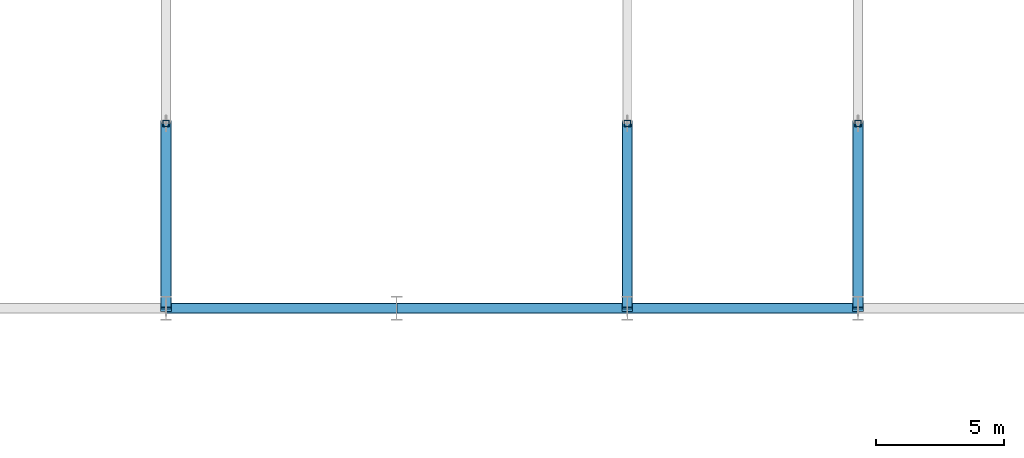
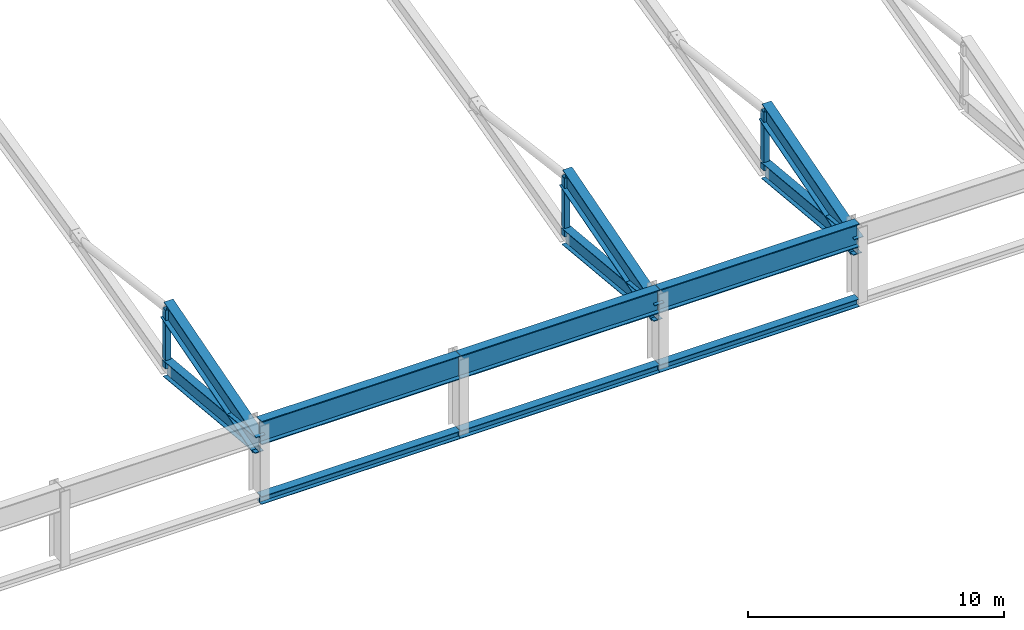
# One storey, part 15 of 151: 9 members, 6 beams.
"""IFC4 building model written with IfcOpenShell, lengths in metres."""

from ifc_helpers import new_model, si_unit, direction, frame, origin, origin_2d, place, context, subcontext, project, spatial, hollow_rectangle, i_section, extrude, material, material_profile, profile_set, type_object, element, save


model = new_model("IFC4")

# Units and contexts
model_context = context("Model", 3, precision=1e-05, world=origin(), true_north=direction((0.0, 1.0)))
body_context = subcontext(model_context, "Body", "Model", "MODEL_VIEW")
ifc_project = project(units=[si_unit("LENGTHUNIT", "METRE"), si_unit("AREAUNIT", "SQUARE_METRE"), si_unit("VOLUMEUNIT", "CUBIC_METRE"), si_unit("PLANEANGLEUNIT", "RADIAN"), si_unit("MASSUNIT", "GRAM", prefix="KILO")], contexts=[model_context])

# Site, building, storey
site_placement = place(None, origin())
site = spatial("IfcSite", under=ifc_project, at=site_placement, CompositionType="ELEMENT")
building_placement = place(site_placement, origin())
building = spatial("IfcBuilding", under=site, at=building_placement, Name="Celestram Park Convention Centre", CompositionType="ELEMENT")
storey_placement = place(building_placement, frame((0.0, 0.0, 10.800048828125)))
storey = spatial("IfcBuildingStorey", under=building, at=storey_placement, Name="L02", CompositionType="ELEMENT", Elevation=10.800048828125)

# Beams
ifc_material_1 = material(Name="Steel ASTM A992 Grade 50", Category="steel")
ifc_material_profile_1 = material_profile(ifc_material_1, i_section(OverallWidth=0.404052734375, OverallDepth=1.117919921875, WebThickness=0.026123046875, FlangeThickness=0.044921875, at=origin_2d()), Name="W44X335")
ifc_profile_set_1 = profile_set([ifc_material_profile_1], Name="Steel ASTM A992 Grade 50")
beam_type_1 = type_object("IfcBeamType", Name="STR-BM-W44X335", PredefinedType="BEAM", material=ifc_profile_set_1)
for number, where, z_axis, x_axis, name in (
    (1, (36.007568359375, 21.60009765625, 3.041015625), (1.0, 0.0, 0.0), (0.0, 1.0, 0.0), "Exhibition eaves tie girder BG-L02-0376"),
    (2, (45.007568359375, 21.60009765625, 3.041015625), (1.0, 0.0, 0.0), (0.0, 1.0, 0.0), "Exhibition eaves tie girder BG-L02-0377"),
    (3, (54.007568359375, 21.60009765625, 3.041015625), (1.0, 0.0, 0.0), (0.0, 1.0, 0.0), "Exhibition eaves tie girder BG-L02-0378"),
):
    element("IfcBeam", number, at=place(storey_placement, frame(where, z_axis=z_axis, x_axis=x_axis)), inside=storey, type_object=beam_type_1, Name=name, PredefinedType="BEAM", context=body_context, shape_type="SweptSolid", body=[
        extrude(i_section(OverallWidth=0.404052734375, OverallDepth=1.117919921875, WebThickness=0.026123046875, FlangeThickness=0.044921875, at=origin_2d()), origin(), (0.0, 0.0, 1.0), 8.98486328125),
    ])

# Members
ifc_material_profile_2 = material_profile(ifc_material_1, i_section(OverallWidth=0.381103515625, OverallDepth=0.77197265625, WebThickness=0.0166015625, FlangeThickness=0.027099609375, at=origin_2d()), Name="W30X173")
ifc_profile_set_2 = profile_set([ifc_material_profile_2], Name="Steel ASTM A992 Grade 50")
member_type_1 = type_object("IfcMemberType", Name="STR-CHD-W30X173", PredefinedType="CHORD", material=ifc_profile_set_2)
for number, where, z_axis, x_axis, name in (
    (4, (36.0, 21.60009765625, 2.428466796875), (0.0, 0.995417621099, -0.095623007717), (-1.0, 0.0, 0.0), "V1 arch bottom chord"),
    (5, (54.0, 21.60009765625, 2.428466796875), (0.0, 0.995417621099, -0.095623007717), (-1.0, 0.0, 0.0), "V1 arch bottom chord"),
    (6, (63.0, 21.60009765625, 2.428466796875), (0.0, 0.995417621099, -0.095623007717), (-1.0, 0.0, 0.0), "V1 arch bottom chord"),
):
    element("IfcMember", number, at=place(storey_placement, frame(where, z_axis=z_axis, x_axis=x_axis)), inside=storey, type_object=member_type_1, Name=name, PredefinedType="CHORD", context=body_context, shape_type="SweptSolid", body=[
        extrude(i_section(OverallWidth=0.381103515625, OverallDepth=0.77197265625, WebThickness=0.0166015625, FlangeThickness=0.027099609375, at=origin_2d()), origin(), (0.0, 0.0, 1.0), 7.233154296875),
    ])
ifc_material_profile_3 = material_profile(ifc_material_1, i_section(OverallWidth=0.4189453125, OverallDepth=0.927001953125, WebThickness=0.019287109375, FlangeThickness=0.031982421875, at=origin_2d()), Name="W36X231")
ifc_profile_set_3 = profile_set([ifc_material_profile_3], Name="Steel ASTM A992 Grade 50")
member_type_2 = type_object("IfcMemberType", Name="STR-CHD-W36X231", PredefinedType="CHORD", material=ifc_profile_set_3)
for number, where, z_axis, x_axis, name in (
    (7, (36.0, 21.60009765625, 2.428466796875), (0.0, 0.959698026141, 0.281033269599), (-1.0, 0.0, 0.0), "V1 arch top chord"),
    (8, (54.0, 21.60009765625, 2.428466796875), (0.0, 0.959698026141, 0.281033269599), (-1.0, 0.0, 0.0), "V1 arch top chord"),
    (9, (63.0, 21.60009765625, 2.428466796875), (0.0, 0.959698026141, 0.281033269599), (-1.0, 0.0, 0.0), "V1 arch top chord"),
):
    element("IfcMember", number, at=place(storey_placement, frame(where, z_axis=z_axis, x_axis=x_axis)), inside=storey, type_object=member_type_2, Name=name, PredefinedType="CHORD", context=body_context, shape_type="SweptSolid", body=[
        extrude(i_section(OverallWidth=0.4189453125, OverallDepth=0.927001953125, WebThickness=0.019287109375, FlangeThickness=0.031982421875, at=origin_2d()), origin(), (0.0, 0.0, 1.0), 7.502197265625),
    ])

# Beams
ifc_material_profile_4 = material_profile(ifc_material_1, i_section(OverallWidth=0.373046875, OverallDepth=0.373046875, WebThickness=0.016357421875, FlangeThickness=0.026123046875, at=origin_2d()), Name="W14X132")
ifc_profile_set_4 = profile_set([ifc_material_profile_4], Name="Steel ASTM A992 Grade 50")
beam_type_2 = type_object("IfcBeamType", Name="STR-SPN-W14X132", PredefinedType="SPANDREL", material=ifc_profile_set_4)
for number, where, z_axis, x_axis, name in (
    (10, (36.010009765625, 21.60009765625, -0.1865234375), (1.0, 0.0, 0.0), (0.0, 1.0, 0.0), "High-bay perimeter spandrel SPB-L02-034"),
    (11, (45.010009765625, 21.60009765625, -0.1865234375), (1.0, 0.0, 0.0), (0.0, 1.0, 0.0), "High-bay perimeter spandrel SPB-L02-035"),
    (12, (54.010009765625, 21.60009765625, -0.1865234375), (1.0, 0.0, 0.0), (0.0, 1.0, 0.0), "High-bay perimeter spandrel SPB-L02-036"),
):
    element("IfcBeam", number, at=place(storey_placement, frame(where, z_axis=z_axis, x_axis=x_axis)), inside=storey, type_object=beam_type_2, Name=name, PredefinedType="SPANDREL", context=body_context, shape_type="SweptSolid", body=[
        extrude(i_section(OverallWidth=0.373046875, OverallDepth=0.373046875, WebThickness=0.016357421875, FlangeThickness=0.026123046875, at=origin_2d()), origin(), (0.0, 0.0, 1.0), 8.97998046875),
    ])

# Members
ifc_material_2 = material(Name="Steel ASTM A500 Grade C", Category="steel")
ifc_material_profile_5 = material_profile(ifc_material_2, hollow_rectangle(XDim=0.25, YDim=0.25, WallThickness=0.011962890625, at=origin_2d()), Name="HSS250X250X12")
ifc_profile_set_5 = profile_set([ifc_material_profile_5], Name="Steel ASTM A500 Grade C")
member_type_3 = type_object("IfcMemberType", Name="STR-STR-HSS250", PredefinedType="STRUT", material=ifc_profile_set_5)
for number, where, z_axis, x_axis, name in (
    (13, (36.0, 28.800048828125, 1.73681640625), (0.0, 0.0, 1.0), (1.0, 0.0, 0.0), "V1 arch vertical strut"),
    (14, (54.0, 28.800048828125, 1.73681640625), (0.0, 0.0, 1.0), (1.0, 0.0, 0.0), "V1 arch vertical strut"),
    (15, (63.0, 28.800048828125, 1.73681640625), (0.0, 0.0, 1.0), (1.0, 0.0, 0.0), "V1 arch vertical strut"),
):
    element("IfcMember", number, at=place(storey_placement, frame(where, z_axis=z_axis, x_axis=x_axis)), inside=storey, type_object=member_type_3, Name=name, PredefinedType="STRUT", context=body_context, shape_type="SweptSolid", body=[
        extrude(hollow_rectangle(XDim=0.25, YDim=0.25, WallThickness=0.011962890625, at=origin_2d()), origin(), (0.0, 0.0, 1.0), 2.800048828125),
    ])

save(model, "model.ifc")
